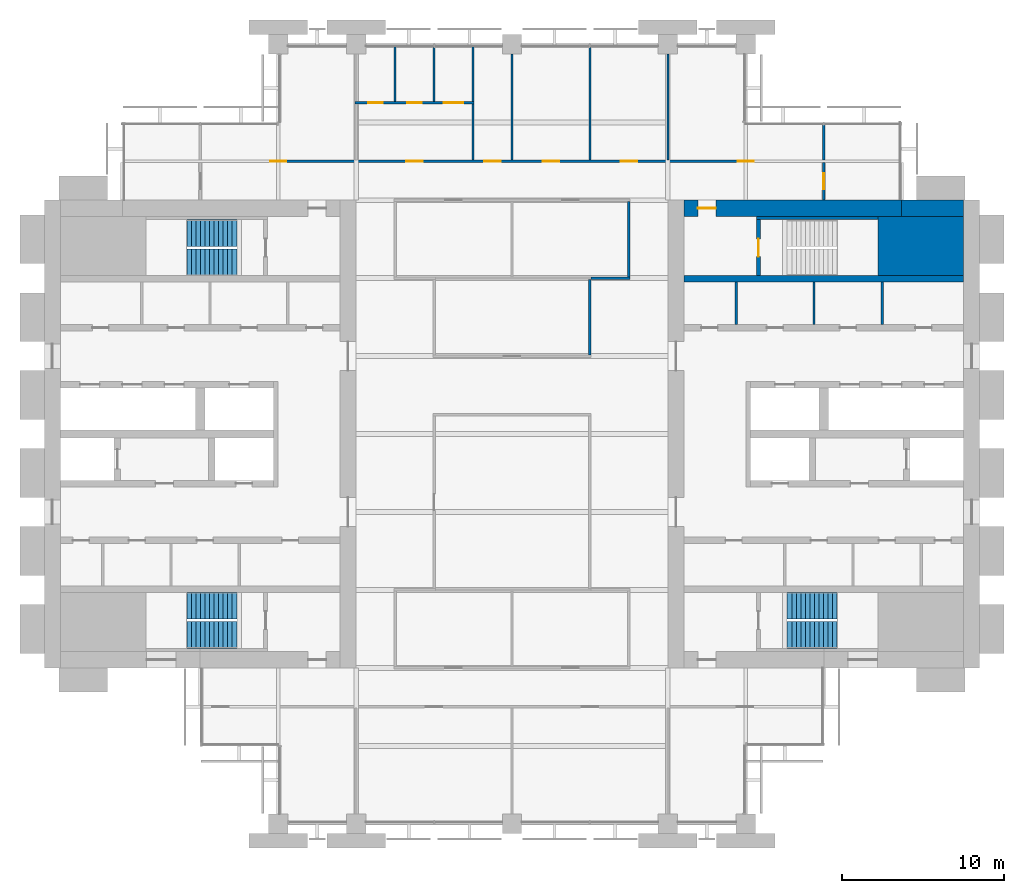
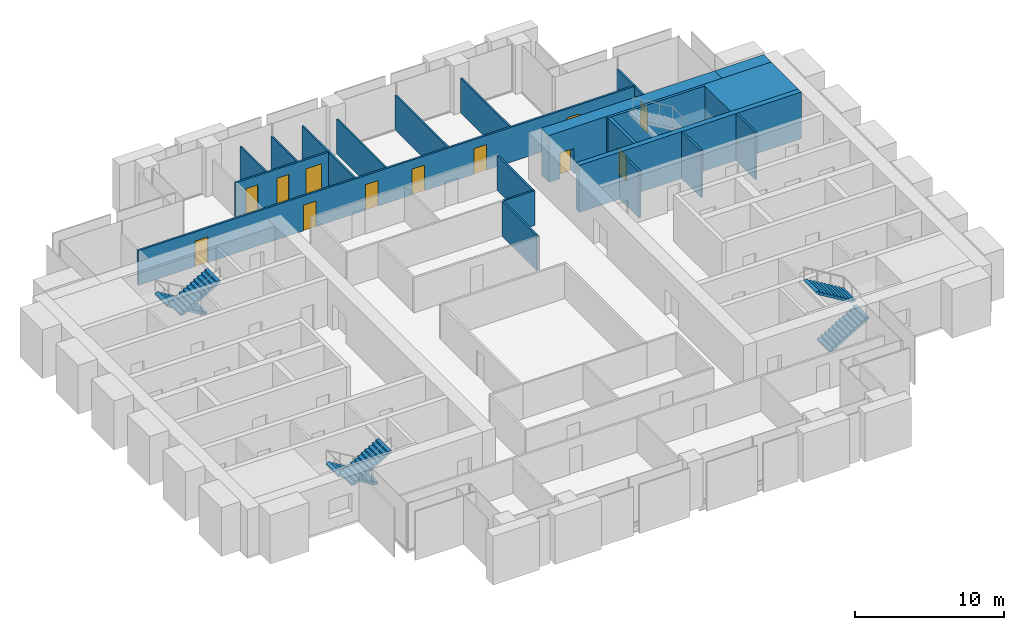
# One storey, part 12 of 14: 23 walls, 12 doors, 6 stair flights, 12 openings, 3 elements without a shape of their own.
"""IFC4 building model written with IfcOpenShell, lengths in metres."""

from ifc_helpers import new_model, si_unit, direction, frame, frame_2d, origin, place, context, subcontext, project, spatial, polyline, rectangle, outline, extrude, material, layer, layer_set, type_object, element, fill, aggregate, save


model = new_model("IFC4")

# Units and contexts
model_context = context("Model", 3, precision=1e-05, world=origin(), true_north=direction((0.0, 1.0)))
body_context = subcontext(model_context, "Body", "Model", "MODEL_VIEW")
ifc_project = project(units=[si_unit("LENGTHUNIT", "METRE"), si_unit("AREAUNIT", "SQUARE_METRE"), si_unit("VOLUMEUNIT", "CUBIC_METRE"), si_unit("PLANEANGLEUNIT", "RADIAN"), si_unit("MASSUNIT", "GRAM", prefix="KILO")], contexts=[model_context])

# Site, building, storey
site_placement = place(None, origin())
site = spatial("IfcSite", under=ifc_project, at=site_placement, CompositionType="ELEMENT")
building_placement = place(site_placement, origin())
building = spatial("IfcBuilding", under=site, at=building_placement, Name="Baori Bourse Tower", CompositionType="ELEMENT")
storey_placement = place(building_placement, frame((0.0, 0.0, 136.10009765625)))
storey = spatial("IfcBuildingStorey", under=building, at=storey_placement, Name="L29", CompositionType="ELEMENT", Elevation=136.10009765625)

# Walls
ifc_material_1 = material(Name="Concrete f'c 60 MPa", Category="concrete")
wall_type_1 = type_object("IfcWallType", Name="Core corner block f'c 60", PredefinedType="SHEAR", material=ifc_material_1)
wall_1_placement = place(storey_placement, frame((51.35009765625, 35.574951171875, 0.0), z_axis=(0.0, 0.0, 1.0), x_axis=(1.0, 0.0, 0.0)))
element("IfcWall", 1, at=wall_1_placement, inside=storey, type_object=wall_type_1, Name="Core wall E26", PredefinedType="SHEAR", context=body_context, shape_type="SweptSolid", body=[
    extrude(rectangle(XDim=5.25, YDim=3.64990234375, at=frame_2d((2.625, 0.0))), origin(), (0.0, 0.0, 1.0), 3.83984375),
])
ifc_material_2 = material(Name="Blockwork partition", Category="masonry")
ifc_layer_1 = layer(ifc_material_2, 0.14990234375)
ifc_layer_set_1 = layer_set([ifc_layer_1], Name="Core partition 150")
wall_type_2 = type_object("IfcWallType", Name="Core partition 150", PredefinedType="PARTITIONING", material=ifc_layer_set_1)
for number, where, z_axis, x_axis, name in (
    (2, (51.60009765625, 30.75, 0.0), (0.0, 0.0, 1.0), (0.0, 1.0, 0.0), "Partition wall E22"),
    (3, (47.39990234375, 30.75, 0.0), (0.0, 0.0, 1.0), (0.0, 1.0, 0.0), "Partition wall E23"),
    (4, (42.60009765625, 30.75, 0.0), (0.0, 0.0, 1.0), (0.0, 1.0, 0.0), "Partition wall E24"),
):
    element("IfcWall", number, at=place(storey_placement, frame(where, z_axis=z_axis, x_axis=x_axis)), inside=storey, type_object=wall_type_2, Name=name, PredefinedType="PARTITIONING", context=body_context, shape_type="SweptSolid", body=[
        extrude(rectangle(XDim=2.60009765625, YDim=0.14990234375, at=frame_2d((1.300048828125, 0.0))), origin(), (0.0, 0.0, 1.0), 3.83984375),
    ])
ifc_material_3 = material(Name="Concrete f'c 60 MPa", Category="concrete")
ifc_layer_2 = layer(ifc_material_3, 1.0)
ifc_layer_set_2 = layer_set([ifc_layer_2], Name="Core wall 1000 f'c 60")
wall_type_3 = type_object("IfcWallType", Name="Core wall 1000 f'c 60", PredefinedType="SHEAR", material=ifc_layer_set_2)
wall_2_placement = place(storey_placement, frame((52.800048828125, 37.89990234375, 0.0), z_axis=(0.0, 0.0, 1.0), x_axis=(1.0, 0.0, 0.0)))
element("IfcWall", 5, at=wall_2_placement, inside=storey, type_object=wall_type_3, Name="Core wall E29", PredefinedType="SHEAR", context=body_context, shape_type="SweptSolid", body=[
    extrude(rectangle(XDim=3.800048828125, YDim=1.0, at=frame_2d((1.89990234375, 0.0))), origin(), (0.0, 0.0, 1.0), 3.83984375),
])

# Wall, opening, door
wall_3_placement = place(storey_placement, frame((39.39990234375, 37.89990234375, 0.0), z_axis=(0.0, 0.0, 1.0), x_axis=(1.0, 0.0, 0.0)))
wall_3 = element("IfcWall", 6, at=wall_3_placement, inside=storey, type_object=wall_type_3, Name="Core wall E30", PredefinedType="SHEAR", context=body_context, shape_type="SweptSolid", body=[
    extrude(rectangle(XDim=13.400146484375, YDim=1.0, at=frame_2d((6.7001953125, 0.0))), origin(), (0.0, 0.0, 1.0), 3.83984375),
])
opening_1_placement = place(wall_3_placement, frame((0.85009765625, 0.0, 0.0)))
opening_1 = element("IfcOpeningElement", 7, at=opening_1_placement, cuts=wall_3, Name="Opening L29-D204", PredefinedType="OPENING", context=body_context, shape_type="SweptSolid", body=[
    extrude(rectangle(XDim=1.10009765625, YDim=2.10009765625, at=frame_2d((0.550048828125, 1.050048828125))), frame((0.0, 0.510009765625, 0.0), z_axis=(0.0, -1.0, 0.0), x_axis=(1.0, 0.0, 0.0)), (0.0, 0.0, 1.0), 1.02001953125),
])
ifc_material_4 = material(Name="Painted steel door", Category="steel")
door_type_1 = type_object("IfcDoorType", Name="Stair door 1100", OperationType="SINGLE_SWING_LEFT", PredefinedType="DOOR", material=ifc_material_4)
door_1_placement = place(opening_1_placement, origin())
door_1 = element("IfcDoor", 8, at=door_1_placement, inside=storey, type_object=door_type_1, Name="Stair vestibule door B E L29", OperationType="SINGLE_SWING_LEFT", OverallHeight=2.10009765625, OverallWidth=1.10009765625, PredefinedType="DOOR", context=body_context, shape_type="SweptSolid", body=[
    extrude(rectangle(XDim=1.10009765625, YDim=2.10009765625, at=frame_2d((0.550048828125, 1.050048828125))), frame((0.0, 0.02490234375, 0.0), z_axis=(0.0, -1.0, 0.0), x_axis=(1.0, 0.0, 0.0)), (0.0, 0.0, 1.0), 0.050048828125),
])
fill(opening_1, door_1)

# Wall
ifc_material_5 = material(Name="Gypsum board partition")
ifc_layer_3 = layer(ifc_material_5, 0.14990234375)
ifc_layer_set_3 = layer_set([ifc_layer_3], Name="Corridor partition 150")
wall_type_4 = type_object("IfcWallType", Name="Corridor partition 150", PredefinedType="PARTITIONING", material=ifc_layer_set_3)
wall_4_placement = place(storey_placement, frame((33.675048828125, 33.60009765625, 0.0), z_axis=(0.0, 0.0, 1.0), x_axis=(1.0, 0.0, 0.0)))
element("IfcWall", 9, at=wall_4_placement, inside=storey, type_object=wall_type_4, Name="Partition", PredefinedType="PARTITIONING", context=body_context, shape_type="SweptSolid", body=[
    extrude(rectangle(XDim=2.39990234375, YDim=0.14990234375, at=frame_2d((1.199951171875, 0.0))), origin(), (0.0, 0.0, 1.0), 2.849365234375),
])

# Wall, openings, doors
wall_5_placement = place(storey_placement, frame((9.52490234375, 40.800048828125, 0.0), z_axis=(0.0, 0.0, 1.0), x_axis=(1.0, 0.0, 0.0)))
wall_5 = element("IfcWall", 10, at=wall_5_placement, inside=storey, type_object=wall_type_4, Name="Partition", PredefinedType="PARTITIONING", context=body_context, shape_type="SweptSolid", body=[
    extrude(rectangle(XDim=38.550048828125, YDim=0.14990234375, at=frame_2d((19.27490234375, 0.0))), origin(), (0.0, 0.0, 1.0), 2.849365234375),
])
opening_2_placement = place(wall_5_placement, frame((4.375, 0.0, 0.0)))
opening_2 = element("IfcOpeningElement", 11, at=opening_2_placement, cuts=wall_5, Name="Opening L29-D10", PredefinedType="OPENING", context=body_context, shape_type="SweptSolid", body=[
    extrude(rectangle(XDim=1.0, YDim=2.10009765625, at=frame_2d((0.5, 1.050048828125))), frame((0.0, 0.0849609375, 0.0), z_axis=(0.0, -1.0, 0.0), x_axis=(1.0, 0.0, 0.0)), (0.0, 0.0, 1.0), 0.169921875),
])
opening_3_placement = place(wall_5_placement, frame((12.77490234375, 0.0, 0.0)))
opening_3 = element("IfcOpeningElement", 12, at=opening_3_placement, cuts=wall_5, Name="Opening L29-D11", PredefinedType="OPENING", context=body_context, shape_type="SweptSolid", body=[
    extrude(rectangle(XDim=1.0, YDim=2.10009765625, at=frame_2d((0.5, 1.050048828125))), frame((0.0, 0.0849609375, 0.0), z_axis=(0.0, -1.0, 0.0), x_axis=(1.0, 0.0, 0.0)), (0.0, 0.0, 1.0), 0.169921875),
])
opening_4_placement = place(wall_5_placement, frame((17.574951171875, 0.0, 0.0)))
opening_4 = element("IfcOpeningElement", 13, at=opening_4_placement, cuts=wall_5, Name="Opening L29-D12", PredefinedType="OPENING", context=body_context, shape_type="SweptSolid", body=[
    extrude(rectangle(XDim=1.0, YDim=2.10009765625, at=frame_2d((0.5, 1.050048828125))), frame((0.0, 0.0849609375, 0.0), z_axis=(0.0, -1.0, 0.0), x_axis=(1.0, 0.0, 0.0)), (0.0, 0.0, 1.0), 0.169921875),
])
opening_5_placement = place(wall_5_placement, frame((21.175048828125, 0.0, 0.0)))
opening_5 = element("IfcOpeningElement", 14, at=opening_5_placement, cuts=wall_5, Name="Opening L29-D13", PredefinedType="OPENING", context=body_context, shape_type="SweptSolid", body=[
    extrude(rectangle(XDim=1.0, YDim=2.10009765625, at=frame_2d((0.5, 1.050048828125))), frame((0.0, 0.0849609375, 0.0), z_axis=(0.0, -1.0, 0.0), x_axis=(1.0, 0.0, 0.0)), (0.0, 0.0, 1.0), 0.169921875),
])
opening_6_placement = place(wall_5_placement, frame((25.97509765625, 0.0, 0.0)))
opening_6 = element("IfcOpeningElement", 15, at=opening_6_placement, cuts=wall_5, Name="Opening L29-D14", PredefinedType="OPENING", context=body_context, shape_type="SweptSolid", body=[
    extrude(rectangle(XDim=1.0, YDim=2.10009765625, at=frame_2d((0.5, 1.050048828125))), frame((0.0, 0.0849609375, 0.0), z_axis=(0.0, -1.0, 0.0), x_axis=(1.0, 0.0, 0.0)), (0.0, 0.0, 1.0), 0.169921875),
])
opening_7_placement = place(wall_5_placement, frame((33.175048828125, 0.0, 0.0)))
opening_7 = element("IfcOpeningElement", 16, at=opening_7_placement, cuts=wall_5, Name="Opening L29-D15", PredefinedType="OPENING", context=body_context, shape_type="SweptSolid", body=[
    extrude(rectangle(XDim=1.0, YDim=2.10009765625, at=frame_2d((0.5, 1.050048828125))), frame((0.0, 0.0849609375, 0.0), z_axis=(0.0, -1.0, 0.0), x_axis=(1.0, 0.0, 0.0)), (0.0, 0.0, 1.0), 0.169921875),
])
ifc_material_6 = material(Name="Timber door leaf", Category="wood")
door_type_2 = type_object("IfcDoorType", Name="Door 1000 x 2100", OperationType="SINGLE_SWING_LEFT", PredefinedType="DOOR", material=ifc_material_6)
door_2_placement = place(opening_2_placement, origin())
door_2 = element("IfcDoor", 17, at=door_2_placement, inside=storey, type_object=door_type_2, Name="Door", OperationType="SINGLE_SWING_RIGHT", OverallHeight=2.10009765625, OverallWidth=1.0, PredefinedType="DOOR", context=body_context, shape_type="SweptSolid", body=[
    extrude(rectangle(XDim=1.0, YDim=2.10009765625, at=frame_2d((0.5, 1.050048828125))), frame((0.0, 0.02490234375, 0.0), z_axis=(0.0, -1.0, 0.0), x_axis=(1.0, 0.0, 0.0)), (0.0, 0.0, 1.0), 0.050048828125),
])
fill(opening_2, door_2)
door_3_placement = place(opening_3_placement, origin())
door_3 = element("IfcDoor", 18, at=door_3_placement, inside=storey, type_object=door_type_2, Name="Door", OperationType="SINGLE_SWING_LEFT", OverallHeight=2.10009765625, OverallWidth=1.0, PredefinedType="DOOR", context=body_context, shape_type="SweptSolid", body=[
    extrude(rectangle(XDim=1.0, YDim=2.10009765625, at=frame_2d((0.5, 1.050048828125))), frame((0.0, 0.02490234375, 0.0), z_axis=(0.0, -1.0, 0.0), x_axis=(1.0, 0.0, 0.0)), (0.0, 0.0, 1.0), 0.050048828125),
])
fill(opening_3, door_3)
door_4_placement = place(opening_4_placement, origin())
door_4 = element("IfcDoor", 19, at=door_4_placement, inside=storey, type_object=door_type_2, Name="Door", OperationType="SINGLE_SWING_RIGHT", OverallHeight=2.10009765625, OverallWidth=1.0, PredefinedType="DOOR", context=body_context, shape_type="SweptSolid", body=[
    extrude(rectangle(XDim=1.0, YDim=2.10009765625, at=frame_2d((0.5, 1.050048828125))), frame((0.0, 0.02490234375, 0.0), z_axis=(0.0, -1.0, 0.0), x_axis=(1.0, 0.0, 0.0)), (0.0, 0.0, 1.0), 0.050048828125),
])
fill(opening_4, door_4)
door_5_placement = place(opening_5_placement, origin())
door_5 = element("IfcDoor", 20, at=door_5_placement, inside=storey, type_object=door_type_2, Name="Door", OperationType="SINGLE_SWING_LEFT", OverallHeight=2.10009765625, OverallWidth=1.0, PredefinedType="DOOR", context=body_context, shape_type="SweptSolid", body=[
    extrude(rectangle(XDim=1.0, YDim=2.10009765625, at=frame_2d((0.5, 1.050048828125))), frame((0.0, 0.02490234375, 0.0), z_axis=(0.0, -1.0, 0.0), x_axis=(1.0, 0.0, 0.0)), (0.0, 0.0, 1.0), 0.050048828125),
])
fill(opening_5, door_5)
door_6_placement = place(opening_6_placement, origin())
door_6 = element("IfcDoor", 21, at=door_6_placement, inside=storey, type_object=door_type_2, Name="Door", OperationType="SINGLE_SWING_LEFT", OverallHeight=2.10009765625, OverallWidth=1.0, PredefinedType="DOOR", context=body_context, shape_type="SweptSolid", body=[
    extrude(rectangle(XDim=1.0, YDim=2.10009765625, at=frame_2d((0.5, 1.050048828125))), frame((0.0, 0.02490234375, 0.0), z_axis=(0.0, -1.0, 0.0), x_axis=(1.0, 0.0, 0.0)), (0.0, 0.0, 1.0), 0.050048828125),
])
fill(opening_6, door_6)
door_7_placement = place(opening_7_placement, origin())
door_7 = element("IfcDoor", 22, at=door_7_placement, inside=storey, type_object=door_type_2, Name="Door", OperationType="SINGLE_SWING_LEFT", OverallHeight=2.10009765625, OverallWidth=1.0, PredefinedType="DOOR", context=body_context, shape_type="SweptSolid", body=[
    extrude(rectangle(XDim=1.0, YDim=2.10009765625, at=frame_2d((0.5, 1.050048828125))), frame((0.0, 0.02490234375, 0.0), z_axis=(0.0, -1.0, 0.0), x_axis=(1.0, 0.0, 0.0)), (0.0, 0.0, 1.0), 0.050048828125),
])
fill(opening_7, door_7)

wall_6_placement = place(storey_placement, frame((19.125, 44.39990234375, 0.0), z_axis=(0.0, 0.0, 1.0), x_axis=(1.0, 0.0, 0.0)))
wall_6 = element("IfcWall", 23, at=wall_6_placement, inside=storey, type_object=wall_type_4, Name="Partition", PredefinedType="PARTITIONING", context=body_context, shape_type="SweptSolid", body=[
    extrude(rectangle(XDim=7.35009765625, YDim=0.14990234375, at=frame_2d((3.675048828125, 0.0))), origin(), (0.0, 0.0, 1.0), 2.849365234375),
])
opening_8_placement = place(wall_6_placement, frame((0.824951171875, 0.0, 0.0)))
opening_8 = element("IfcOpeningElement", 24, at=opening_8_placement, cuts=wall_6, Name="Opening L29-D16", PredefinedType="OPENING", context=body_context, shape_type="SweptSolid", body=[
    extrude(rectangle(XDim=0.89990234375, YDim=2.10009765625, at=frame_2d((0.449951171875, 1.050048828125))), frame((0.0, 0.0849609375, 0.0), z_axis=(0.0, -1.0, 0.0), x_axis=(1.0, 0.0, 0.0)), (0.0, 0.0, 1.0), 0.169921875),
])
opening_9_placement = place(wall_6_placement, frame((3.22509765625, 0.0, 0.0)))
opening_9 = element("IfcOpeningElement", 25, at=opening_9_placement, cuts=wall_6, Name="Opening L29-D17", PredefinedType="OPENING", context=body_context, shape_type="SweptSolid", body=[
    extrude(rectangle(XDim=0.89990234375, YDim=2.10009765625, at=frame_2d((0.449951171875, 1.050048828125))), frame((0.0, 0.0849609375, 0.0), z_axis=(0.0, -1.0, 0.0), x_axis=(1.0, 0.0, 0.0)), (0.0, 0.0, 1.0), 0.169921875),
])
opening_10_placement = place(wall_6_placement, frame((5.47509765625, 0.0, 0.0)))
opening_10 = element("IfcOpeningElement", 26, at=opening_10_placement, cuts=wall_6, Name="Opening L29-D18", PredefinedType="OPENING", context=body_context, shape_type="SweptSolid", body=[
    extrude(rectangle(XDim=1.199951171875, YDim=2.10009765625, at=frame_2d((0.60009765625, 1.050048828125))), frame((0.0, 0.0849609375, 0.0), z_axis=(0.0, -1.0, 0.0), x_axis=(1.0, 0.0, 0.0)), (0.0, 0.0, 1.0), 0.169921875),
])
ifc_material_7 = material(Name="Timber door leaf", Category="wood")
door_type_3 = type_object("IfcDoorType", Name="Door 1200 x 2100", OperationType="SINGLE_SWING_LEFT", PredefinedType="DOOR", material=ifc_material_7)
door_8_placement = place(opening_10_placement, origin())
door_8 = element("IfcDoor", 27, at=door_8_placement, inside=storey, type_object=door_type_3, Name="Door", OperationType="SINGLE_SWING_LEFT", OverallHeight=2.10009765625, OverallWidth=1.199951171875, PredefinedType="DOOR", context=body_context, shape_type="SweptSolid", body=[
    extrude(rectangle(XDim=1.199951171875, YDim=2.10009765625, at=frame_2d((0.60009765625, 1.050048828125))), frame((0.0, 0.02490234375, 0.0), z_axis=(0.0, -1.0, 0.0), x_axis=(1.0, 0.0, 0.0)), (0.0, 0.0, 1.0), 0.050048828125),
])
fill(opening_10, door_8)
ifc_material_8 = material(Name="Timber door leaf", Category="wood")
door_type_4 = type_object("IfcDoorType", Name="Door 900 x 2100", OperationType="SINGLE_SWING_LEFT", PredefinedType="DOOR", material=ifc_material_8)
door_9_placement = place(opening_8_placement, origin())
door_9 = element("IfcDoor", 28, at=door_9_placement, inside=storey, type_object=door_type_4, Name="Door", OperationType="SINGLE_SWING_RIGHT", OverallHeight=2.10009765625, OverallWidth=0.89990234375, PredefinedType="DOOR", context=body_context, shape_type="SweptSolid", body=[
    extrude(rectangle(XDim=0.89990234375, YDim=2.10009765625, at=frame_2d((0.449951171875, 1.050048828125))), frame((0.0, 0.02490234375, 0.0), z_axis=(0.0, -1.0, 0.0), x_axis=(1.0, 0.0, 0.0)), (0.0, 0.0, 1.0), 0.050048828125),
])
fill(opening_8, door_9)
door_10_placement = place(opening_9_placement, origin())
door_10 = element("IfcDoor", 29, at=door_10_placement, inside=storey, type_object=door_type_4, Name="Door", OperationType="SINGLE_SWING_RIGHT", OverallHeight=2.10009765625, OverallWidth=0.89990234375, PredefinedType="DOOR", context=body_context, shape_type="SweptSolid", body=[
    extrude(rectangle(XDim=0.89990234375, YDim=2.10009765625, at=frame_2d((0.449951171875, 1.050048828125))), frame((0.0, 0.02490234375, 0.0), z_axis=(0.0, -1.0, 0.0), x_axis=(1.0, 0.0, 0.0)), (0.0, 0.0, 1.0), 0.050048828125),
])
fill(opening_9, door_10)

# Walls
wall_7_placement = place(storey_placement, frame((26.39990234375, 40.875, 0.0), z_axis=(0.0, 0.0, 1.0), x_axis=(0.0, 1.0, 0.0)))
element("IfcWall", 30, at=wall_7_placement, inside=storey, type_object=wall_type_4, Name="Partition", PredefinedType="PARTITIONING", context=body_context, shape_type="SweptSolid", body=[
    extrude(rectangle(XDim=3.449951171875, YDim=0.14990234375, at=frame_2d((1.72509765625, 0.0))), origin(), (0.0, 0.0, 1.0), 2.849365234375),
])
for number, where, z_axis, x_axis, name in (
    (31, (33.60009765625, 28.875, 0.0), (0.0, 0.0, 1.0), (0.0, 1.0, 0.0), "Partition"),
    (32, (36.0, 33.675048828125, 0.0), (0.0, 0.0, 1.0), (0.0, 1.0, 0.0), "Partition"),
):
    element("IfcWall", number, at=place(storey_placement, frame(where, z_axis=z_axis, x_axis=x_axis)), inside=storey, type_object=wall_type_4, Name=name, PredefinedType="PARTITIONING", context=body_context, shape_type="SweptSolid", body=[
        extrude(rectangle(XDim=4.64990234375, YDim=0.14990234375, at=frame_2d((2.324951171875, 0.0))), origin(), (0.0, 0.0, 1.0), 2.849365234375),
    ])

# Wall, opening, door
wall_8_placement = place(storey_placement, frame((48.0, 38.39990234375, 0.0), z_axis=(0.0, 0.0, 1.0), x_axis=(0.0, 1.0, 0.0)))
wall_8 = element("IfcWall", 33, at=wall_8_placement, inside=storey, type_object=wall_type_4, Name="Partition", PredefinedType="PARTITIONING", context=body_context, shape_type="SweptSolid", body=[
    extrude(rectangle(XDim=2.3251953125, YDim=0.14990234375, at=frame_2d((1.16259765625, 0.0))), origin(), (0.0, 0.0, 1.0), 2.849365234375),
])
opening_11_placement = place(wall_8_placement, frame((0.66259765625, 0.0, 0.0)))
opening_11 = element("IfcOpeningElement", 34, at=opening_11_placement, cuts=wall_8, Name="Opening L29-D21", PredefinedType="OPENING", context=body_context, shape_type="SweptSolid", body=[
    extrude(rectangle(XDim=1.0, YDim=2.10009765625, at=frame_2d((0.5, 1.050048828125))), frame((0.0, 0.0849609375, 0.0), z_axis=(0.0, -1.0, 0.0), x_axis=(1.0, 0.0, 0.0)), (0.0, 0.0, 1.0), 0.169921875),
])
door_11_placement = place(opening_11_placement, origin())
door_11 = element("IfcDoor", 35, at=door_11_placement, inside=storey, type_object=door_type_2, Name="Door", OperationType="SINGLE_SWING_LEFT", OverallHeight=2.10009765625, OverallWidth=1.0, PredefinedType="DOOR", context=body_context, shape_type="SweptSolid", body=[
    extrude(rectangle(XDim=1.0, YDim=2.10009765625, at=frame_2d((0.5, 1.050048828125))), frame((0.0, 0.02490234375, 0.0), z_axis=(0.0, -1.0, 0.0), x_axis=(1.0, 0.0, 0.0)), (0.0, 0.0, 1.0), 0.050048828125),
])
fill(opening_11, door_11)

# Walls
ifc_material_9 = material(Name="Gypsum board partition")
ifc_layer_4 = layer(ifc_material_9, 0.125)
ifc_layer_set_4 = layer_set([ifc_layer_4], Name="Partition 125")
wall_type_5 = type_object("IfcWallType", Name="Partition 125", PredefinedType="PARTITIONING", material=ifc_layer_set_4)
for number, where, z_axis, x_axis, name in (
    (36, (21.60009765625, 44.47509765625, 0.0), (0.0, 0.0, 1.0), (0.0, 1.0, 0.0), "Partition"),
    (37, (24.0, 44.47509765625, 0.0), (0.0, 0.0, 1.0), (0.0, 1.0, 0.0), "Partition"),
    (38, (26.39990234375, 44.47509765625, 0.0), (0.0, 0.0, 1.0), (0.0, 1.0, 0.0), "Partition"),
):
    element("IfcWall", number, at=place(storey_placement, frame(where, z_axis=z_axis, x_axis=x_axis)), inside=storey, type_object=wall_type_5, Name=name, PredefinedType="PARTITIONING", context=body_context, shape_type="SweptSolid", body=[
        extrude(rectangle(XDim=3.4248046875, YDim=0.125, at=frame_2d((1.71240234375, 0.0))), origin(), (0.0, 0.0, 1.0), 2.849365234375),
    ])
wall_9_placement = place(storey_placement, frame((28.800048828125, 40.875, 0.0), z_axis=(0.0, 0.0, 1.0), x_axis=(0.0, 1.0, 0.0)))
element("IfcWall", 39, at=wall_9_placement, inside=storey, type_object=wall_type_5, Name="Partition", PredefinedType="PARTITIONING", context=body_context, shape_type="SweptSolid", body=[
    extrude(rectangle(XDim=6.52490234375, YDim=0.125, at=frame_2d((3.262451171875, 0.0))), origin(), (0.0, 0.0, 1.0), 2.849365234375),
])
wall_10_placement = place(storey_placement, frame((33.60009765625, 40.875, 0.0), z_axis=(0.0, 0.0, 1.0), x_axis=(0.0, 1.0, 0.0)))
element("IfcWall", 40, at=wall_10_placement, inside=storey, type_object=wall_type_5, Name="Partition", PredefinedType="PARTITIONING", context=body_context, shape_type="SweptSolid", body=[
    extrude(rectangle(XDim=7.02490234375, YDim=0.125, at=frame_2d((3.512451171875, 0.0))), origin(), (0.0, 0.0, 1.0), 2.849365234375),
])
wall_11_placement = place(storey_placement, frame((38.39990234375, 40.875, 0.0), z_axis=(0.0, 0.0, 1.0), x_axis=(0.0, 1.0, 0.0)))
element("IfcWall", 41, at=wall_11_placement, inside=storey, type_object=wall_type_5, Name="Partition", PredefinedType="PARTITIONING", context=body_context, shape_type="SweptSolid", body=[
    extrude(rectangle(XDim=6.52490234375, YDim=0.125, at=frame_2d((3.262451171875, 0.0))), origin(), (0.0, 0.0, 1.0), 2.849365234375),
])
wall_12_placement = place(storey_placement, frame((48.0, 40.875, 0.0), z_axis=(0.0, 0.0, 1.0), x_axis=(0.0, 1.0, 0.0)))
element("IfcWall", 42, at=wall_12_placement, inside=storey, type_object=wall_type_5, Name="Partition", PredefinedType="PARTITIONING", context=body_context, shape_type="SweptSolid", body=[
    extrude(rectangle(XDim=2.22509765625, YDim=0.125, at=frame_2d((1.112548828125, 0.0))), origin(), (0.0, 0.0, 1.0), 2.849365234375),
])
ifc_material_10 = material(Name="Concrete f'c 60 MPa", Category="concrete")
ifc_layer_5 = layer(ifc_material_10, 0.199951171875)
ifc_layer_set_5 = layer_set([ifc_layer_5], Name="Shaft wall 200 f'c 60")
wall_type_6 = type_object("IfcWallType", Name="Shaft wall 200 f'c 60", PredefinedType="SHEAR", material=ifc_layer_set_5)
wall_13_placement = place(storey_placement, frame((43.85009765625, 37.300048828125, 0.0), z_axis=(0.0, 0.0, 1.0), x_axis=(1.0, 0.0, 0.0)))
element("IfcWall", 43, at=wall_13_placement, inside=storey, type_object=wall_type_6, Name="Core wall E28", PredefinedType="SHEAR", context=body_context, shape_type="SweptSolid", body=[
    extrude(rectangle(XDim=7.5, YDim=0.199951171875, at=frame_2d((3.75, 0.0))), origin(), (0.0, 0.0, 1.0), 3.83984375),
])

# Wall, opening, door
ifc_material_11 = material(Name="Concrete f'c 60 MPa", Category="concrete")
ifc_layer_6 = layer(ifc_material_11, 0.25)
ifc_layer_set_6 = layer_set([ifc_layer_6], Name="Shaft wall 250 f'c 60")
wall_type_7 = type_object("IfcWallType", Name="Shaft wall 250 f'c 60", PredefinedType="SHEAR", material=ifc_layer_set_6)
wall_14_placement = place(storey_placement, frame((43.97509765625, 33.75, 0.0), z_axis=(0.0, 0.0, 1.0), x_axis=(0.0, 1.0, 0.0)))
wall_14 = element("IfcWall", 44, at=wall_14_placement, inside=storey, type_object=wall_type_7, Name="Core wall E27", PredefinedType="SHEAR", context=body_context, shape_type="SweptSolid", body=[
    extrude(rectangle(XDim=3.449951171875, YDim=0.25, at=frame_2d((1.72509765625, 0.0))), origin(), (0.0, 0.0, 1.0), 3.83984375),
])
opening_12_placement = place(wall_14_placement, frame((1.175048828125, 0.0, 0.0)))
opening_12 = element("IfcOpeningElement", 45, at=opening_12_placement, cuts=wall_14, Name="Opening L29-D203", PredefinedType="OPENING", context=body_context, shape_type="SweptSolid", body=[
    extrude(rectangle(XDim=1.10009765625, YDim=2.10009765625, at=frame_2d((0.550048828125, 1.050048828125))), frame((0.0, 0.135009765625, 0.0), z_axis=(0.0, -1.0, 0.0), x_axis=(1.0, 0.0, 0.0)), (0.0, 0.0, 1.0), 0.27001953125),
])
door_12_placement = place(opening_12_placement, origin())
door_12 = element("IfcDoor", 46, at=door_12_placement, inside=storey, type_object=door_type_1, Name="Stair door B E L29", OperationType="SINGLE_SWING_LEFT", OverallHeight=2.10009765625, OverallWidth=1.10009765625, PredefinedType="DOOR", context=body_context, shape_type="SweptSolid", body=[
    extrude(rectangle(XDim=1.10009765625, YDim=2.10009765625, at=frame_2d((0.550048828125, 1.050048828125))), frame((0.0, 0.02490234375, 0.0), z_axis=(0.0, -1.0, 0.0), x_axis=(1.0, 0.0, 0.0)), (0.0, 0.0, 1.0), 0.050048828125),
])
fill(opening_12, door_12)

# Wall
ifc_material_12 = material(Name="Concrete f'c 60 MPa", Category="concrete")
ifc_layer_7 = layer(ifc_material_12, 0.39990234375)
ifc_layer_set_7 = layer_set([ifc_layer_7], Name="Shaft wall 400 f'c 60")
wall_type_8 = type_object("IfcWallType", Name="Shaft wall 400 f'c 60", PredefinedType="SHEAR", material=ifc_layer_set_7)
wall_15_placement = place(storey_placement, frame((39.39990234375, 33.550048828125, 0.0), z_axis=(0.0, 0.0, 1.0), x_axis=(1.0, 0.0, 0.0)))
element("IfcWall", 47, at=wall_15_placement, inside=storey, type_object=wall_type_8, Name="Core wall E25", PredefinedType="SHEAR", context=body_context, shape_type="SweptSolid", body=[
    extrude(rectangle(XDim=17.2001953125, YDim=0.39990234375, at=frame_2d((8.60009765625, 0.0))), origin(), (0.0, 0.0, 1.0), 3.83984375),
])

# Stair, stair flights
ifc_material_13 = material(Name="Concrete f'c 50 MPa", Category="concrete")
stair_type = type_object("IfcStairType", Name="Core stair", PredefinedType="HALF_TURN_STAIR", material=ifc_material_13)
stair_1_placement = place(storey_placement, origin())
stair_1 = element("IfcStair", 48, at=stair_1_placement, inside=storey, type_object=stair_type, Name="L29 Stair WA", PredefinedType="HALF_TURN_STAIR")
ifc_material_14 = material(Name="Concrete f'c 50 MPa", Category="concrete")
stair_flight_type = type_object("IfcStairFlightType", Name="Core stair flight", PredefinedType="STRAIGHT", material=ifc_material_14)
stair_flight_1_placement = place(storey_placement, frame((11.85009765625, 13.425048828125, 0.0), z_axis=(0.0, 0.0, 1.0), x_axis=(-1.0, 0.0, 0.0)))
stair_flight_1 = element("IfcStairFlight", 49, at=stair_flight_1_placement, type_object=stair_flight_type, Name="ST1 flight 1", NumberOfRisers=12, NumberOfTreads=11, PredefinedType="STRAIGHT", RiserHeight=0.166666667, TreadLength=0.28, context=body_context, shape_type="SweptSolid", body=[
    extrude(outline(polyline([(0.0, 0.0), (0.0, 0.166748046875), (0.280029296875, 0.166748046875), (0.280029296875, 0.333251953125), (0.56005859375, 0.333251953125), (0.56005859375, 0.5), (0.840087890625, 0.5), (0.840087890625, 0.666748046875), (1.1201171875, 0.666748046875), (1.1201171875, 0.833251953125), (1.39990234375, 0.833251953125), (1.39990234375, 1.0), (1.679931640625, 1.0), (1.679931640625, 1.166748046875), (1.9599609375, 1.166748046875), (1.9599609375, 1.333251953125), (2.239990234375, 1.333251953125), (2.239990234375, 1.5), (2.52001953125, 1.5), (2.52001953125, 1.666748046875), (2.800048828125, 1.666748046875), (2.800048828125, 1.833251953125), (3.080078125, 1.833251953125), (3.080078125, 2.0), (3.080078125, 1.658935546875), (0.29296875, 0.0), (0.0, 0.0)])), frame((0.0, 0.824951171875, 0.0), z_axis=(0.0, -1.0, 0.0), x_axis=(1.0, 0.0, 0.0)), (0.0, 0.0, 1.0), 1.64990234375),
])
stair_flight_2_placement = place(storey_placement, frame((8.77001953125, 11.625, 2.0), z_axis=(0.0, 0.0, 1.0), x_axis=(1.0, 0.0, 0.0)))
stair_flight_2 = element("IfcStairFlight", 50, at=stair_flight_2_placement, type_object=stair_flight_type, Name="ST1 flight 2", NumberOfRisers=12, NumberOfTreads=11, PredefinedType="STRAIGHT", RiserHeight=0.166666667, TreadLength=0.28, context=body_context, shape_type="SweptSolid", body=[
    extrude(outline(polyline([(0.0, 0.0), (0.0, 0.166748046875), (0.280029296875, 0.166748046875), (0.280029296875, 0.333251953125), (0.56005859375, 0.333251953125), (0.56005859375, 0.5), (0.840087890625, 0.5), (0.840087890625, 0.666748046875), (1.1201171875, 0.666748046875), (1.1201171875, 0.833251953125), (1.39990234375, 0.833251953125), (1.39990234375, 1.0), (1.679931640625, 1.0), (1.679931640625, 1.166748046875), (1.9599609375, 1.166748046875), (1.9599609375, 1.333251953125), (2.239990234375, 1.333251953125), (2.239990234375, 1.5), (2.52001953125, 1.5), (2.52001953125, 1.666748046875), (2.800048828125, 1.666748046875), (2.800048828125, 1.833251953125), (3.080078125, 1.833251953125), (3.080078125, 2.0), (3.080078125, 1.658935546875), (0.29296875, 0.0), (0.0, 0.0)])), frame((0.0, 0.824951171875, 0.0), z_axis=(0.0, -1.0, 0.0), x_axis=(1.0, 0.0, 0.0)), (0.0, 0.0, 1.0), 1.64990234375),
])
aggregate(stair_1, [stair_flight_1, stair_flight_2])

stair_2_placement = place(storey_placement, origin())
stair_2 = element("IfcStair", 51, at=stair_2_placement, inside=storey, type_object=stair_type, Name="L29 Stair WB", PredefinedType="HALF_TURN_STAIR")
stair_flight_3_placement = place(storey_placement, frame((11.85009765625, 36.375, 0.0), z_axis=(0.0, 0.0, 1.0), x_axis=(-1.0, 0.0, 0.0)))
stair_flight_3 = element("IfcStairFlight", 52, at=stair_flight_3_placement, type_object=stair_flight_type, Name="ST2 flight 1", NumberOfRisers=12, NumberOfTreads=11, PredefinedType="STRAIGHT", RiserHeight=0.166666667, TreadLength=0.28, context=body_context, shape_type="SweptSolid", body=[
    extrude(outline(polyline([(0.0, 0.0), (0.0, 0.166748046875), (0.280029296875, 0.166748046875), (0.280029296875, 0.333251953125), (0.56005859375, 0.333251953125), (0.56005859375, 0.5), (0.840087890625, 0.5), (0.840087890625, 0.666748046875), (1.1201171875, 0.666748046875), (1.1201171875, 0.833251953125), (1.39990234375, 0.833251953125), (1.39990234375, 1.0), (1.679931640625, 1.0), (1.679931640625, 1.166748046875), (1.9599609375, 1.166748046875), (1.9599609375, 1.333251953125), (2.239990234375, 1.333251953125), (2.239990234375, 1.5), (2.52001953125, 1.5), (2.52001953125, 1.666748046875), (2.800048828125, 1.666748046875), (2.800048828125, 1.833251953125), (3.080078125, 1.833251953125), (3.080078125, 2.0), (3.080078125, 1.658935546875), (0.29296875, 0.0), (0.0, 0.0)])), frame((0.0, 0.824951171875, 0.0), z_axis=(0.0, -1.0, 0.0), x_axis=(1.0, 0.0, 0.0)), (0.0, 0.0, 1.0), 1.64990234375),
])
stair_flight_4_placement = place(storey_placement, frame((8.77001953125, 34.574951171875, 2.0), z_axis=(0.0, 0.0, 1.0), x_axis=(1.0, 0.0, 0.0)))
stair_flight_4 = element("IfcStairFlight", 53, at=stair_flight_4_placement, type_object=stair_flight_type, Name="ST2 flight 2", NumberOfRisers=12, NumberOfTreads=11, PredefinedType="STRAIGHT", RiserHeight=0.166666667, TreadLength=0.28, context=body_context, shape_type="SweptSolid", body=[
    extrude(outline(polyline([(0.0, 0.0), (0.0, 0.166748046875), (0.280029296875, 0.166748046875), (0.280029296875, 0.333251953125), (0.56005859375, 0.333251953125), (0.56005859375, 0.5), (0.840087890625, 0.5), (0.840087890625, 0.666748046875), (1.1201171875, 0.666748046875), (1.1201171875, 0.833251953125), (1.39990234375, 0.833251953125), (1.39990234375, 1.0), (1.679931640625, 1.0), (1.679931640625, 1.166748046875), (1.9599609375, 1.166748046875), (1.9599609375, 1.333251953125), (2.239990234375, 1.333251953125), (2.239990234375, 1.5), (2.52001953125, 1.5), (2.52001953125, 1.666748046875), (2.800048828125, 1.666748046875), (2.800048828125, 1.833251953125), (3.080078125, 1.833251953125), (3.080078125, 2.0), (3.080078125, 1.658935546875), (0.29296875, 0.0), (0.0, 0.0)])), frame((0.0, 0.824951171875, 0.0), z_axis=(0.0, -1.0, 0.0), x_axis=(1.0, 0.0, 0.0)), (0.0, 0.0, 1.0), 1.64990234375),
])
aggregate(stair_2, [stair_flight_3, stair_flight_4])

stair_3_placement = place(storey_placement, origin())
stair_3 = element("IfcStair", 54, at=stair_3_placement, inside=storey, type_object=stair_type, Name="L29 Stair EA", PredefinedType="HALF_TURN_STAIR")
stair_flight_5_placement = place(storey_placement, frame((45.75, 11.625, 0.0), z_axis=(0.0, 0.0, 1.0), x_axis=(1.0, 0.0, 0.0)))
stair_flight_5 = element("IfcStairFlight", 55, at=stair_flight_5_placement, type_object=stair_flight_type, Name="ST3 flight 1", NumberOfRisers=12, NumberOfTreads=11, PredefinedType="STRAIGHT", RiserHeight=0.166666667, TreadLength=0.28, context=body_context, shape_type="SweptSolid", body=[
    extrude(outline(polyline([(0.0, 0.0), (0.0, 0.166748046875), (0.280029296875, 0.166748046875), (0.280029296875, 0.333251953125), (0.56005859375, 0.333251953125), (0.56005859375, 0.5), (0.840087890625, 0.5), (0.840087890625, 0.666748046875), (1.1201171875, 0.666748046875), (1.1201171875, 0.833251953125), (1.39990234375, 0.833251953125), (1.39990234375, 1.0), (1.679931640625, 1.0), (1.679931640625, 1.166748046875), (1.9599609375, 1.166748046875), (1.9599609375, 1.333251953125), (2.239990234375, 1.333251953125), (2.239990234375, 1.5), (2.52001953125, 1.5), (2.52001953125, 1.666748046875), (2.800048828125, 1.666748046875), (2.800048828125, 1.833251953125), (3.080078125, 1.833251953125), (3.080078125, 2.0), (3.080078125, 1.658935546875), (0.29296875, 0.0), (0.0, 0.0)])), frame((0.0, 0.824951171875, 0.0), z_axis=(0.0, -1.0, 0.0), x_axis=(1.0, 0.0, 0.0)), (0.0, 0.0, 1.0), 1.64990234375),
])
stair_flight_6_placement = place(storey_placement, frame((48.830078125, 13.425048828125, 2.0), z_axis=(0.0, 0.0, 1.0), x_axis=(-1.0, 0.0, 0.0)))
stair_flight_6 = element("IfcStairFlight", 56, at=stair_flight_6_placement, type_object=stair_flight_type, Name="ST3 flight 2", NumberOfRisers=12, NumberOfTreads=11, PredefinedType="STRAIGHT", RiserHeight=0.166666667, TreadLength=0.28, context=body_context, shape_type="SweptSolid", body=[
    extrude(outline(polyline([(0.0, 0.0), (0.0, 0.166748046875), (0.280029296875, 0.166748046875), (0.280029296875, 0.333251953125), (0.56005859375, 0.333251953125), (0.56005859375, 0.5), (0.840087890625, 0.5), (0.840087890625, 0.666748046875), (1.1201171875, 0.666748046875), (1.1201171875, 0.833251953125), (1.39990234375, 0.833251953125), (1.39990234375, 1.0), (1.679931640625, 1.0), (1.679931640625, 1.166748046875), (1.9599609375, 1.166748046875), (1.9599609375, 1.333251953125), (2.239990234375, 1.333251953125), (2.239990234375, 1.5), (2.52001953125, 1.5), (2.52001953125, 1.666748046875), (2.800048828125, 1.666748046875), (2.800048828125, 1.833251953125), (3.080078125, 1.833251953125), (3.080078125, 2.0), (3.080078125, 1.658935546875), (0.29296875, 0.0), (0.0, 0.0)])), frame((0.0, 0.824951171875, 0.0), z_axis=(0.0, -1.0, 0.0), x_axis=(1.0, 0.0, 0.0)), (0.0, 0.0, 1.0), 1.64990234375),
])
aggregate(stair_3, [stair_flight_5, stair_flight_6])

save(model, "model.ifc")
